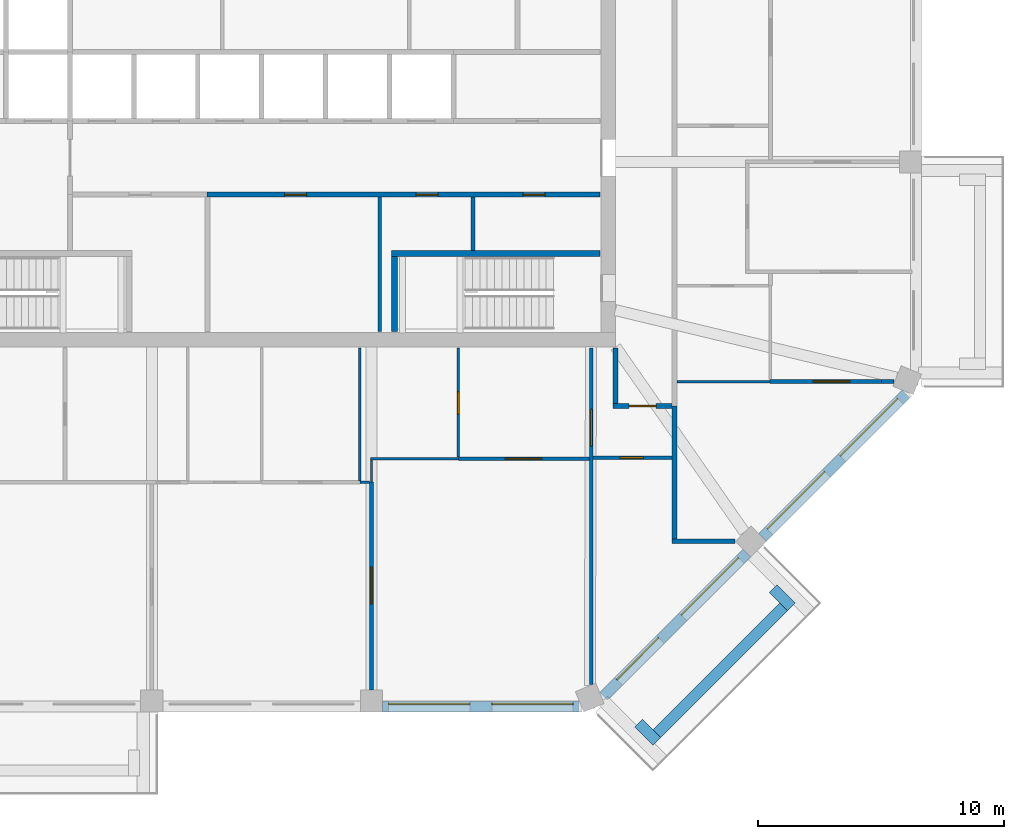
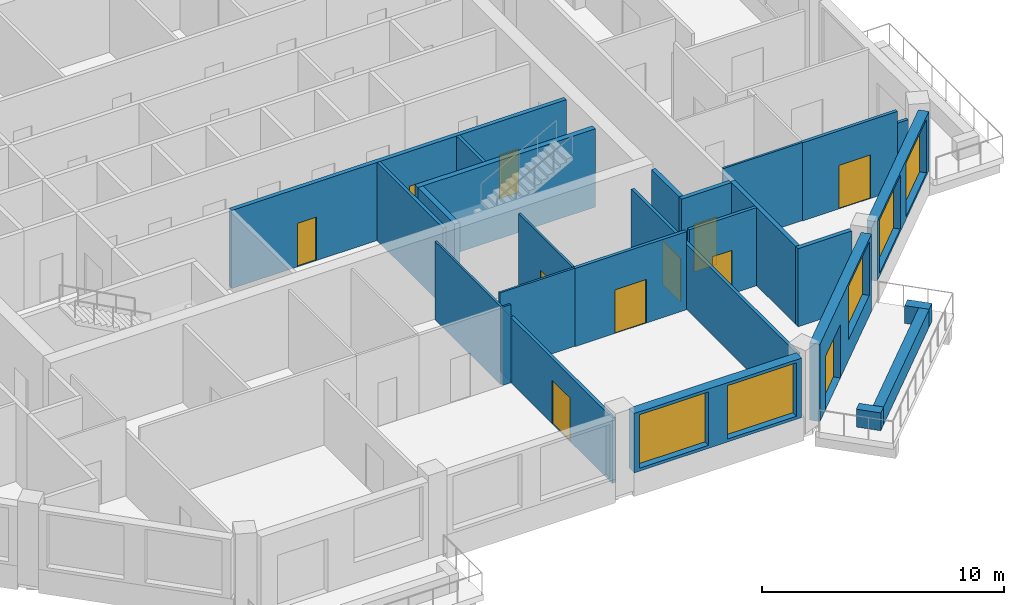
# One storey, part 5 of 11: 27 walls, 11 doors, 5 windows, 16 openings.
"""IFC4 building model written with IfcOpenShell, lengths in metres."""

from ifc_helpers import new_model, si_unit, direction, frame, frame_2d, origin, place, context, subcontext, project, spatial, rectangle, extrude, material, layer, layer_set, type_object, element, fill, save


model = new_model("IFC4")

# Units and contexts
model_context = context("Model", 3, precision=1e-05, world=origin(), true_north=direction((0.0, 1.0)))
body_context = subcontext(model_context, "Body", "Model", "MODEL_VIEW")
ifc_project = project(units=[si_unit("LENGTHUNIT", "METRE"), si_unit("AREAUNIT", "SQUARE_METRE"), si_unit("VOLUMEUNIT", "CUBIC_METRE"), si_unit("PLANEANGLEUNIT", "RADIAN"), si_unit("MASSUNIT", "GRAM", prefix="KILO")], contexts=[model_context])

# Site, building, storey
site_placement = place(None, origin())
site = spatial("IfcSite", under=ifc_project, at=site_placement, CompositionType="ELEMENT")
building_placement = place(site_placement, origin())
building = spatial("IfcBuilding", under=site, at=building_placement, Name="Msitu Wima Residences", CompositionType="ELEMENT")
storey_placement = place(building_placement, frame((0.0, 0.0, 302.10009765625)))
storey = spatial("IfcBuildingStorey", under=building, at=storey_placement, Name="L70", CompositionType="ELEMENT", Elevation=302.10009765625)

# Walls
ifc_material_1 = material(Name="Facing brick")
ifc_layer_1 = layer(ifc_material_1, 0.06494140625, Name="Facing brick")
ifc_material_2 = material(Name="Concrete C40/50", Category="concrete")
ifc_layer_2 = layer(ifc_material_2, 0.156005859375, Name="Concrete C40/50")
ifc_material_3 = material(Name="Waterproofing membrane")
ifc_layer_3 = layer(ifc_material_3, 0.00390625, Name="Waterproofing membrane")
ifc_material_4 = material(Name="Planting soil and planting")
ifc_layer_4 = layer(ifc_material_4, 0.22509765625, Name="Planting soil and planting")
ifc_layer_set_1 = layer_set([ifc_layer_1, ifc_layer_2, ifc_layer_3, ifc_layer_4], Name="Concrete C40/50")
wall_type_1 = type_object("IfcWallType", Name="Balcony planter PLANTER PL450", PredefinedType="USERDEFINED", material=ifc_layer_set_1)
wall_1_placement = place(storey_placement, frame((16.0751953125, -27.725830078125, 0.0), z_axis=(0.0, 0.0, 1.0), x_axis=(0.707106781187, 0.707106781187, 0.0)))
element("IfcWall", 1, at=wall_1_placement, inside=storey, type_object=wall_type_1, Name="Balcony planter SE0 L70", ObjectType="PLANTER", PredefinedType="USERDEFINED", context=body_context, shape_type="SweptSolid", body=[
    extrude(rectangle(XDim=7.288330078125, YDim=0.449951171875, at=frame_2d((3.64404296875, 0.0))), origin(), (0.0, 0.0, 1.0), 0.89990234375),
])
for number, where, z_axis, x_axis, name in (
    (2, (15.332763671875, -27.301513671875, 0.0), (0.0, 0.0, 1.0), (0.707106781187, -0.707106781187, 0.0), "Balcony planter SE0 L70"),
    (3, (20.804443359375, -21.829833984375, 0.0), (0.0, 0.0, 1.0), (0.707106781187, -0.707106781187, 0.0), "Balcony planter SE0 L70"),
):
    element("IfcWall", number, at=place(storey_placement, frame(where, z_axis=z_axis, x_axis=x_axis)), inside=storey, type_object=wall_type_1, Name=name, ObjectType="PLANTER", PredefinedType="USERDEFINED", context=body_context, shape_type="SweptSolid", body=[
        extrude(rectangle(XDim=1.050048828125, YDim=0.449951171875, at=frame_2d((0.52490234375, 0.0))), origin(), (0.0, 0.0, 1.0), 0.89990234375),
    ])

# Wall, openings, windows
ifc_material_5 = material(Name="Brick (red buff mix)", Category="masonry")
ifc_layer_5 = layer(ifc_material_5, 0.449951171875)
ifc_layer_set_2 = layer_set([ifc_layer_5], Name="Brick (red buff mix)")
wall_type_2 = type_object("IfcWallType", Name="Brick infill wall BW450", PredefinedType="SOLIDWALL", material=ifc_layer_set_2)
wall_2_placement = place(storey_placement, frame((4.918701171875, -26.625, 0.89990234375), z_axis=(0.0, 0.0, 1.0), x_axis=(1.0, 0.0, 0.0)))
wall_2 = element("IfcWall", 4, at=wall_2_placement, inside=storey, type_object=wall_type_2, Name="Brick infill wall L70 S2", PredefinedType="SOLIDWALL", context=body_context, shape_type="SweptSolid", body=[
    extrude(rectangle(XDim=8.0, YDim=0.449951171875, at=frame_2d((4.0, 0.0))), origin(), (0.0, 0.0, 1.0), 3.0),
])
opening_1_placement = place(wall_2_placement, frame((0.25, 0.0, 0.14990234375)))
opening_1 = element("IfcOpeningElement", 5, at=opening_1_placement, cuts=wall_2, Name="Opening W68-70.020", PredefinedType="OPENING", context=body_context, shape_type="SweptSolid", body=[
    extrude(rectangle(XDim=3.300048828125, YDim=2.699951171875, at=frame_2d((1.64990234375, 1.35009765625))), frame((0.0, 0.23486328125, 0.0), z_axis=(0.0, -1.0, 0.0), x_axis=(1.0, 0.0, 0.0)), (0.0, 0.0, 1.0), 0.469970703125),
])
opening_2_placement = place(wall_2_placement, frame((4.4501953125, 0.0, 0.14990234375)))
opening_2 = element("IfcOpeningElement", 6, at=opening_2_placement, cuts=wall_2, Name="Opening W68-70.021", PredefinedType="OPENING", context=body_context, shape_type="SweptSolid", body=[
    extrude(rectangle(XDim=3.300048828125, YDim=2.699951171875, at=frame_2d((1.64990234375, 1.35009765625))), frame((0.0, 0.23486328125, 0.0), z_axis=(0.0, -1.0, 0.0), x_axis=(1.0, 0.0, 0.0)), (0.0, 0.0, 1.0), 0.469970703125),
])
ifc_material_6 = material(Name="Anodised aluminium, bronze finish, clear low-emissivity double glazing", Category="aluminium")
window_type = type_object("IfcWindowType", Name="Window W3300x2700", PartitioningType="DOUBLE_PANEL_VERTICAL", PredefinedType="WINDOW", material=ifc_material_6)
window_1_placement = place(opening_1_placement, origin())
window_1 = element("IfcWindow", 7, at=window_1_placement, inside=storey, type_object=window_type, Name="Window L70 S2.1", OverallHeight=2.699951171875, OverallWidth=3.300048828125, PartitioningType="SINGLE_PANEL", PredefinedType="WINDOW", context=body_context, shape_type="SweptSolid", body=[
    extrude(rectangle(XDim=3.300048828125, YDim=2.699951171875, at=frame_2d((1.64990234375, 1.35009765625))), frame((0.0, 0.135009765625, 0.0), z_axis=(0.0, -1.0, 0.0), x_axis=(1.0, 0.0, 0.0)), (0.0, 0.0, 1.0), 0.06005859375),
])
fill(opening_1, window_1)
window_2_placement = place(opening_2_placement, origin())
window_2 = element("IfcWindow", 8, at=window_2_placement, inside=storey, type_object=window_type, Name="Window L70 S2.2", OverallHeight=2.699951171875, OverallWidth=3.300048828125, PartitioningType="SINGLE_PANEL", PredefinedType="WINDOW", context=body_context, shape_type="SweptSolid", body=[
    extrude(rectangle(XDim=3.300048828125, YDim=2.699951171875, at=frame_2d((1.64990234375, 1.35009765625))), frame((0.0, 0.135009765625, 0.0), z_axis=(0.0, -1.0, 0.0), x_axis=(1.0, 0.0, 0.0)), (0.0, 0.0, 1.0), 0.06005859375),
])
fill(opening_2, window_2)

# Wall, openings, door, window
wall_3_placement = place(storey_placement, frame((13.909423828125, -26.214599609375, 0.0), z_axis=(0.0, 0.0, 1.0), x_axis=(0.707106781187, 0.707106781187, 0.0)))
wall_3 = element("IfcWall", 9, at=wall_3_placement, inside=storey, type_object=wall_type_2, Name="Brick infill wall L70 SE0", PredefinedType="SOLIDWALL", context=body_context, shape_type="SweptSolid", body=[
    extrude(rectangle(XDim=8.251220703125, YDim=0.449951171875, at=frame_2d((4.12548828125, 0.0))), origin(), (0.0, 0.0, 1.0), 3.89990234375),
])
opening_3_placement = place(wall_3_placement, frame((0.86279296875, 0.0, 0.0)))
opening_3 = element("IfcOpeningElement", 10, at=opening_3_placement, cuts=wall_3, Name="Opening D68-70.006", PredefinedType="OPENING", context=body_context, shape_type="SweptSolid", body=[
    extrude(rectangle(XDim=2.39990234375, YDim=2.699951171875, at=frame_2d((1.199951171875, 1.35009765625))), frame((0.0, 0.23486328125, 0.0), z_axis=(0.0, -1.0, 0.0), x_axis=(1.0, 0.0, 0.0)), (0.0, 0.0, 1.0), 0.469970703125),
])
opening_4_placement = place(wall_3_placement, frame((4.57568359375, 0.0, 1.050048828125)))
opening_4 = element("IfcOpeningElement", 11, at=opening_4_placement, cuts=wall_3, Name="Opening W68-70.022", PredefinedType="OPENING", context=body_context, shape_type="SweptSolid", body=[
    extrude(rectangle(XDim=3.300048828125, YDim=2.699951171875, at=frame_2d((1.64990234375, 1.35009765625))), frame((0.0, 0.23486328125, 0.0), z_axis=(0.0, -1.0, 0.0), x_axis=(1.0, 0.0, 0.0)), (0.0, 0.0, 1.0), 0.469970703125),
])
door_type_1 = type_object("IfcDoorType", Name="Balcony door D2400x2700", OperationType="SLIDING_TO_LEFT", PredefinedType="DOOR", material=ifc_material_6)
door_1_placement = place(opening_3_placement, origin())
door_1 = element("IfcDoor", 12, at=door_1_placement, inside=storey, type_object=door_type_1, Name="Balcony door L70 SE0", OperationType="SINGLE_SWING_LEFT", OverallHeight=2.699951171875, OverallWidth=2.39990234375, PredefinedType="DOOR", context=body_context, shape_type="SweptSolid", body=[
    extrude(rectangle(XDim=2.39990234375, YDim=2.699951171875, at=frame_2d((1.199951171875, 1.35009765625))), frame((0.0, 0.1298828125, 0.0), z_axis=(0.0, -1.0, 0.0), x_axis=(1.0, 0.0, 0.0)), (0.0, 0.0, 1.0), 0.050048828125),
])
fill(opening_3, door_1)
window_3_placement = place(opening_4_placement, origin())
window_3 = element("IfcWindow", 13, at=window_3_placement, inside=storey, type_object=window_type, Name="Window L70 SE0.2", OverallHeight=2.699951171875, OverallWidth=3.300048828125, PartitioningType="SINGLE_PANEL", PredefinedType="WINDOW", context=body_context, shape_type="SweptSolid", body=[
    extrude(rectangle(XDim=3.300048828125, YDim=2.699951171875, at=frame_2d((1.64990234375, 1.35009765625))), frame((0.0, 0.135009765625, 0.0), z_axis=(0.0, -1.0, 0.0), x_axis=(1.0, 0.0, 0.0)), (0.0, 0.0, 1.0), 0.06005859375),
])
fill(opening_4, window_3)

# Wall, openings, windows
wall_4_placement = place(storey_placement, frame((20.380126953125, -19.743896484375, 0.89990234375), z_axis=(0.0, 0.0, 1.0), x_axis=(0.707106781187, 0.707106781187, 0.0)))
wall_4 = element("IfcWall", 14, at=wall_4_placement, inside=storey, type_object=wall_type_2, Name="Brick infill wall L70 SE1", PredefinedType="SOLIDWALL", context=body_context, shape_type="SweptSolid", body=[
    extrude(rectangle(XDim=8.251220703125, YDim=0.449951171875, at=frame_2d((4.12548828125, 0.0))), origin(), (0.0, 0.0, 1.0), 3.0),
])
opening_5_placement = place(wall_4_placement, frame((0.37548828125, 0.0, 0.14990234375)))
opening_5 = element("IfcOpeningElement", 15, at=opening_5_placement, cuts=wall_4, Name="Opening W68-70.023", PredefinedType="OPENING", context=body_context, shape_type="SweptSolid", body=[
    extrude(rectangle(XDim=3.300048828125, YDim=2.699951171875, at=frame_2d((1.64990234375, 1.35009765625))), frame((0.0, 0.23486328125, 0.0), z_axis=(0.0, -1.0, 0.0), x_axis=(1.0, 0.0, 0.0)), (0.0, 0.0, 1.0), 0.469970703125),
])
opening_6_placement = place(wall_4_placement, frame((4.57568359375, 0.0, 0.14990234375)))
opening_6 = element("IfcOpeningElement", 16, at=opening_6_placement, cuts=wall_4, Name="Opening W68-70.024", PredefinedType="OPENING", context=body_context, shape_type="SweptSolid", body=[
    extrude(rectangle(XDim=3.300048828125, YDim=2.699951171875, at=frame_2d((1.64990234375, 1.35009765625))), frame((0.0, 0.23486328125, 0.0), z_axis=(0.0, -1.0, 0.0), x_axis=(1.0, 0.0, 0.0)), (0.0, 0.0, 1.0), 0.469970703125),
])
window_4_placement = place(opening_5_placement, origin())
window_4 = element("IfcWindow", 17, at=window_4_placement, inside=storey, type_object=window_type, Name="Window L70 SE1.1", OverallHeight=2.699951171875, OverallWidth=3.300048828125, PartitioningType="SINGLE_PANEL", PredefinedType="WINDOW", context=body_context, shape_type="SweptSolid", body=[
    extrude(rectangle(XDim=3.300048828125, YDim=2.699951171875, at=frame_2d((1.64990234375, 1.35009765625))), frame((0.0, 0.135009765625, 0.0), z_axis=(0.0, -1.0, 0.0), x_axis=(1.0, 0.0, 0.0)), (0.0, 0.0, 1.0), 0.06005859375),
])
fill(opening_5, window_4)
window_5_placement = place(opening_6_placement, origin())
window_5 = element("IfcWindow", 18, at=window_5_placement, inside=storey, type_object=window_type, Name="Window L70 SE1.2", OverallHeight=2.699951171875, OverallWidth=3.300048828125, PartitioningType="SINGLE_PANEL", PredefinedType="WINDOW", context=body_context, shape_type="SweptSolid", body=[
    extrude(rectangle(XDim=3.300048828125, YDim=2.699951171875, at=frame_2d((1.64990234375, 1.35009765625))), frame((0.0, 0.135009765625, 0.0), z_axis=(0.0, -1.0, 0.0), x_axis=(1.0, 0.0, 0.0)), (0.0, 0.0, 1.0), 0.06005859375),
])
fill(opening_6, window_5)

# Wall, openings, doors
ifc_material_7 = material(Name="Plaster")
ifc_layer_6 = layer(ifc_material_7, 0.011962890625, Name="Plaster")
ifc_material_8 = material(Name="Concrete blockwork", Category="masonry")
ifc_layer_7 = layer(ifc_material_8, 0.176025390625, Name="Concrete blockwork")
ifc_layer_8 = layer(ifc_material_7, 0.011962890625, Name="Plaster")
ifc_layer_set_3 = layer_set([ifc_layer_6, ifc_layer_7, ifc_layer_8], Name="Concrete blockwork")
wall_type_3 = type_object("IfcWallType", Name="Corridor wall FW200", PredefinedType="PARTITIONING", material=ifc_layer_set_3)
wall_5_placement = place(storey_placement, frame((-2.219970703125, -5.800048828125, 0.0), z_axis=(0.0, 0.0, 1.0), x_axis=(1.0, 0.0, 0.0)))
wall_5 = element("IfcWall", 19, at=wall_5_placement, inside=storey, type_object=wall_type_3, Name="Corridor wall", PredefinedType="PARTITIONING", context=body_context, shape_type="SweptSolid", body=[
    extrude(rectangle(XDim=15.989990234375, YDim=0.199951171875, at=frame_2d((7.9951171875, 0.0))), origin(), (0.0, 0.0, 1.0), 3.949951171875),
])
opening_7_placement = place(wall_5_placement, frame((3.14990234375, 0.0, 0.0)))
opening_7 = element("IfcOpeningElement", 20, at=opening_7_placement, cuts=wall_5, Name="Opening D68-70.068", PredefinedType="OPENING", context=body_context, shape_type="SweptSolid", body=[
    extrude(rectangle(XDim=0.89990234375, YDim=2.199951171875, at=frame_2d((0.449951171875, 1.10009765625))), frame((0.0, 0.10986328125, 0.0), z_axis=(0.0, -1.0, 0.0), x_axis=(1.0, 0.0, 0.0)), (0.0, 0.0, 1.0), 0.219970703125),
])
opening_8_placement = place(wall_5_placement, frame((8.5, 0.0, 0.0)))
opening_8 = element("IfcOpeningElement", 21, at=opening_8_placement, cuts=wall_5, Name="Opening D68-70.069", PredefinedType="OPENING", context=body_context, shape_type="SweptSolid", body=[
    extrude(rectangle(XDim=0.89990234375, YDim=2.199951171875, at=frame_2d((0.449951171875, 1.10009765625))), frame((0.0, 0.10986328125, 0.0), z_axis=(0.0, -1.0, 0.0), x_axis=(1.0, 0.0, 0.0)), (0.0, 0.0, 1.0), 0.219970703125),
])
opening_9_placement = place(wall_5_placement, frame((12.85009765625, 0.0, 0.0)))
opening_9 = element("IfcOpeningElement", 22, at=opening_9_placement, cuts=wall_5, Name="Opening D68-70.070", PredefinedType="OPENING", context=body_context, shape_type="SweptSolid", body=[
    extrude(rectangle(XDim=0.89990234375, YDim=2.199951171875, at=frame_2d((0.449951171875, 1.10009765625))), frame((0.0, 0.10986328125, 0.0), z_axis=(0.0, -1.0, 0.0), x_axis=(1.0, 0.0, 0.0)), (0.0, 0.0, 1.0), 0.219970703125),
])
ifc_material_9 = material(Name="Timber flush door", Category="wood")
door_type_2 = type_object("IfcDoorType", Name="Service door D05 900x2200", OperationType="SINGLE_SWING_LEFT", PredefinedType="DOOR", material=ifc_material_9)
door_2_placement = place(opening_7_placement, origin())
door_2 = element("IfcDoor", 23, at=door_2_placement, inside=storey, type_object=door_type_2, Name="Service door", OperationType="SINGLE_SWING_LEFT", OverallHeight=2.199951171875, OverallWidth=0.89990234375, PredefinedType="DOOR", context=body_context, shape_type="SweptSolid", body=[
    extrude(rectangle(XDim=0.89990234375, YDim=2.199951171875, at=frame_2d((0.449951171875, 1.10009765625))), frame((0.0, 0.02490234375, 0.0), z_axis=(0.0, -1.0, 0.0), x_axis=(1.0, 0.0, 0.0)), (0.0, 0.0, 1.0), 0.050048828125),
])
fill(opening_7, door_2)
door_3_placement = place(opening_8_placement, origin())
door_3 = element("IfcDoor", 24, at=door_3_placement, inside=storey, type_object=door_type_2, Name="Service door", OperationType="SINGLE_SWING_LEFT", OverallHeight=2.199951171875, OverallWidth=0.89990234375, PredefinedType="DOOR", context=body_context, shape_type="SweptSolid", body=[
    extrude(rectangle(XDim=0.89990234375, YDim=2.199951171875, at=frame_2d((0.449951171875, 1.10009765625))), frame((0.0, 0.02490234375, 0.0), z_axis=(0.0, -1.0, 0.0), x_axis=(1.0, 0.0, 0.0)), (0.0, 0.0, 1.0), 0.050048828125),
])
fill(opening_8, door_3)
door_4_placement = place(opening_9_placement, origin())
door_4 = element("IfcDoor", 25, at=door_4_placement, inside=storey, type_object=door_type_2, Name="Service door", OperationType="SINGLE_SWING_RIGHT", OverallHeight=2.199951171875, OverallWidth=0.89990234375, PredefinedType="DOOR", context=body_context, shape_type="SweptSolid", body=[
    extrude(rectangle(XDim=0.89990234375, YDim=2.199951171875, at=frame_2d((0.449951171875, 1.10009765625))), frame((0.0, 0.02490234375, 0.0), z_axis=(0.0, -1.0, 0.0), x_axis=(1.0, 0.0, 0.0)), (0.0, 0.0, 1.0), 0.050048828125),
])
fill(opening_9, door_4)

# Wall
wall_6_placement = place(storey_placement, frame((14.39990234375, -14.300048828125, 0.0), z_axis=(0.0, 0.0, 1.0), x_axis=(0.0, 1.0, 0.0)))
element("IfcWall", 26, at=wall_6_placement, inside=storey, type_object=wall_type_3, Name="Corridor wall", PredefinedType="PARTITIONING", context=body_context, shape_type="SweptSolid", body=[
    extrude(rectangle(XDim=2.27001953125, YDim=0.199951171875, at=frame_2d((1.135009765625, 0.0))), origin(), (0.0, 0.0, 1.0), 3.949951171875),
])

# Wall, opening, door
wall_7_placement = place(storey_placement, frame((14.300048828125, -14.39990234375, 0.0), z_axis=(0.0, 0.0, 1.0), x_axis=(1.0, 0.0, 0.0)))
wall_7 = element("IfcWall", 27, at=wall_7_placement, inside=storey, type_object=wall_type_3, Name="Corridor wall", PredefinedType="PARTITIONING", context=body_context, shape_type="SweptSolid", body=[
    extrude(rectangle(XDim=2.39990234375, YDim=0.199951171875, at=frame_2d((1.199951171875, 0.0))), origin(), (0.0, 0.0, 1.0), 3.949951171875),
])
opening_10_placement = place(wall_7_placement, frame((0.64990234375, 0.0, 0.0)))
opening_10 = element("IfcOpeningElement", 28, at=opening_10_placement, cuts=wall_7, Name="Opening D68-70.044", PredefinedType="OPENING", context=body_context, shape_type="SweptSolid", body=[
    extrude(rectangle(XDim=1.10009765625, YDim=2.39990234375, at=frame_2d((0.550048828125, 1.199951171875))), frame((0.0, 0.10986328125, 0.0), z_axis=(0.0, -1.0, 0.0), x_axis=(1.0, 0.0, 0.0)), (0.0, 0.0, 1.0), 0.219970703125),
])
ifc_material_10 = material(Name="Timber flush door, fire resisting, self-closing", Category="wood")
door_type_3 = type_object("IfcDoorType", Name="Flat entrance door D01 1100x2400", OperationType="SINGLE_SWING_LEFT", PredefinedType="DOOR", material=ifc_material_10)
door_5_placement = place(opening_10_placement, origin())
door_5 = element("IfcDoor", 29, at=door_5_placement, inside=storey, type_object=door_type_3, Name="Flat entrance door", OperationType="SINGLE_SWING_LEFT", OverallHeight=2.39990234375, OverallWidth=1.10009765625, PredefinedType="DOOR", context=body_context, shape_type="SweptSolid", body=[
    extrude(rectangle(XDim=1.10009765625, YDim=2.39990234375, at=frame_2d((0.550048828125, 1.199951171875))), frame((0.0, 0.02490234375, 0.0), z_axis=(0.0, -1.0, 0.0), x_axis=(1.0, 0.0, 0.0)), (0.0, 0.0, 1.0), 0.050048828125),
])
fill(opening_10, door_5)

ifc_layer_9 = layer(ifc_material_7, 0.011962890625, Name="Plaster")
ifc_layer_10 = layer(ifc_material_8, 0.1259765625, Name="Concrete blockwork")
ifc_layer_11 = layer(ifc_material_7, 0.011962890625, Name="Plaster")
ifc_layer_set_4 = layer_set([ifc_layer_9, ifc_layer_10, ifc_layer_11], Name="Concrete blockwork")
wall_type_4 = type_object("IfcWallType", Name="Partition PW150", PredefinedType="PARTITIONING", material=ifc_layer_set_4)
wall_8_placement = place(storey_placement, frame((4.46875, -25.949951171875, 0.0), z_axis=(0.0, 0.0, 1.0), x_axis=(0.0, 1.0, 0.0)))
wall_8 = element("IfcWall", 30, at=wall_8_placement, inside=storey, type_object=wall_type_4, Name="Partition", PredefinedType="PARTITIONING", context=body_context, shape_type="SweptSolid", body=[
    extrude(rectangle(XDim=8.449951171875, YDim=0.14990234375, at=frame_2d((4.22509765625, 0.0))), origin(), (0.0, 0.0, 1.0), 3.2998046875),
])
opening_11_placement = place(wall_8_placement, frame((3.5, 0.0, 0.0)))
opening_11 = element("IfcOpeningElement", 31, at=opening_11_placement, cuts=wall_8, Name="Opening D68-70.052", PredefinedType="OPENING", context=body_context, shape_type="SweptSolid", body=[
    extrude(rectangle(XDim=1.5, YDim=2.199951171875, at=frame_2d((0.75, 1.10009765625))), frame((0.0, 0.0849609375, 0.0), z_axis=(0.0, -1.0, 0.0), x_axis=(1.0, 0.0, 0.0)), (0.0, 0.0, 1.0), 0.169921875),
])
ifc_material_11 = material(Name="Timber double door", Category="wood")
door_type_4 = type_object("IfcDoorType", Name="Double door D04 1500x2200", OperationType="DOUBLE_DOOR_SINGLE_SWING", PredefinedType="DOOR", material=ifc_material_11)
door_6_placement = place(opening_11_placement, origin())
door_6 = element("IfcDoor", 32, at=door_6_placement, inside=storey, type_object=door_type_4, Name="Double door", OperationType="DOUBLE_DOOR_SINGLE_SWING", OverallHeight=2.199951171875, OverallWidth=1.5, PredefinedType="DOOR", context=body_context, shape_type="SweptSolid", body=[
    extrude(rectangle(XDim=1.5, YDim=2.199951171875, at=frame_2d((0.75, 1.10009765625))), frame((0.0, 0.02490234375, 0.0), z_axis=(0.0, -1.0, 0.0), x_axis=(1.0, 0.0, 0.0)), (0.0, 0.0, 1.0), 0.050048828125),
])
fill(opening_11, door_6)

# Wall
wall_9_placement = place(storey_placement, frame((4.800048828125, -11.3701171875, 0.0), z_axis=(0.0, 0.0, 1.0), x_axis=(0.0, 1.0, 0.0)))
element("IfcWall", 33, at=wall_9_placement, inside=storey, type_object=wall_type_4, Name="Partition", PredefinedType="PARTITIONING", context=body_context, shape_type="SweptSolid", body=[
    extrude(rectangle(XDim=5.47021484375, YDim=0.14990234375, at=frame_2d((2.735107421875, 0.0))), origin(), (0.0, 0.0, 1.0), 3.949951171875),
])

# Wall, opening, door
wall_10_placement = place(storey_placement, frame((8.0, -16.550048828125, 0.0), z_axis=(0.0, 0.0, 1.0), x_axis=(1.0, 0.0, 0.0)))
wall_10 = element("IfcWall", 34, at=wall_10_placement, inside=storey, type_object=wall_type_4, Name="Partition", PredefinedType="PARTITIONING", context=body_context, shape_type="SweptSolid", body=[
    extrude(rectangle(XDim=5.330810546875, YDim=0.14990234375, at=frame_2d((2.66552734375, 0.0))), origin(), (0.0, 0.0, 1.0), 3.949951171875),
])
opening_12_placement = place(wall_10_placement, frame((1.89990234375, 0.0, 0.0)))
opening_12 = element("IfcOpeningElement", 35, at=opening_12_placement, cuts=wall_10, Name="Opening D68-70.049", PredefinedType="OPENING", context=body_context, shape_type="SweptSolid", body=[
    extrude(rectangle(XDim=1.5, YDim=2.199951171875, at=frame_2d((0.75, 1.10009765625))), frame((0.0, 0.0849609375, 0.0), z_axis=(0.0, -1.0, 0.0), x_axis=(1.0, 0.0, 0.0)), (0.0, 0.0, 1.0), 0.169921875),
])
door_7_placement = place(opening_12_placement, origin())
door_7 = element("IfcDoor", 36, at=door_7_placement, inside=storey, type_object=door_type_4, Name="Double door", OperationType="DOUBLE_DOOR_SINGLE_SWING", OverallHeight=2.199951171875, OverallWidth=1.5, PredefinedType="DOOR", context=body_context, shape_type="SweptSolid", body=[
    extrude(rectangle(XDim=1.5, YDim=2.199951171875, at=frame_2d((0.75, 1.10009765625))), frame((0.0, 0.02490234375, 0.0), z_axis=(0.0, -1.0, 0.0), x_axis=(1.0, 0.0, 0.0)), (0.0, 0.0, 1.0), 0.050048828125),
])
fill(opening_12, door_7)

# Wall
wall_11_placement = place(storey_placement, frame((8.60009765625, -8.074951171875, 0.0), z_axis=(0.0, 0.0, 1.0), x_axis=(0.0, 1.0, 0.0)))
element("IfcWall", 37, at=wall_11_placement, inside=storey, type_object=wall_type_4, Name="Partition", PredefinedType="PARTITIONING", context=body_context, shape_type="SweptSolid", body=[
    extrude(rectangle(XDim=2.175048828125, YDim=0.14990234375, at=frame_2d((1.08740234375, 0.0))), origin(), (0.0, 0.0, 1.0), 3.949951171875),
])

# Wall, opening, door
wall_12_placement = place(storey_placement, frame((13.406005859375, -25.731201171875, 0.0), z_axis=(0.0, 0.0, 1.0), x_axis=(0.0, 1.0, 0.0)))
wall_12 = element("IfcWall", 38, at=wall_12_placement, inside=storey, type_object=wall_type_4, Name="Partition", PredefinedType="PARTITIONING", context=body_context, shape_type="SweptSolid", body=[
    extrude(rectangle(XDim=13.701171875, YDim=0.14990234375, at=frame_2d((6.8505859375, 0.0))), origin(), (0.0, 0.0, 1.0), 3.2998046875),
])
opening_13_placement = place(wall_12_placement, frame((9.699951171875, 0.0, 0.0)))
opening_13 = element("IfcOpeningElement", 39, at=opening_13_placement, cuts=wall_12, Name="Opening D68-70.045", PredefinedType="OPENING", context=body_context, shape_type="SweptSolid", body=[
    extrude(rectangle(XDim=1.5, YDim=2.199951171875, at=frame_2d((0.75, 1.10009765625))), frame((0.0, 0.0849609375, 0.0), z_axis=(0.0, -1.0, 0.0), x_axis=(1.0, 0.0, 0.0)), (0.0, 0.0, 1.0), 0.169921875),
])
door_8_placement = place(opening_13_placement, origin())
door_8 = element("IfcDoor", 40, at=door_8_placement, inside=storey, type_object=door_type_4, Name="Double door", OperationType="DOUBLE_DOOR_SINGLE_SWING", OverallHeight=2.199951171875, OverallWidth=1.5, PredefinedType="DOOR", context=body_context, shape_type="SweptSolid", body=[
    extrude(rectangle(XDim=1.5, YDim=2.199951171875, at=frame_2d((0.75, 1.10009765625))), frame((0.0, 0.02490234375, 0.0), z_axis=(0.0, -1.0, 0.0), x_axis=(1.0, 0.0, 0.0)), (0.0, 0.0, 1.0), 0.050048828125),
])
fill(opening_13, door_8)

wall_13_placement = place(storey_placement, frame((13.48095703125, -16.5, 0.0), z_axis=(0.0, 0.0, 1.0), x_axis=(1.0, 0.0, 0.0)))
wall_13 = element("IfcWall", 41, at=wall_13_placement, inside=storey, type_object=wall_type_4, Name="Partition", PredefinedType="PARTITIONING", context=body_context, shape_type="SweptSolid", body=[
    extrude(rectangle(XDim=3.218994140625, YDim=0.14990234375, at=frame_2d((1.609375, 0.0))), origin(), (0.0, 0.0, 1.0), 3.949951171875),
])
opening_14_placement = place(wall_13_placement, frame((1.10009765625, 0.0, 0.0)))
opening_14 = element("IfcOpeningElement", 42, at=opening_14_placement, cuts=wall_13, Name="Opening D68-70.050", PredefinedType="OPENING", context=body_context, shape_type="SweptSolid", body=[
    extrude(rectangle(XDim=0.949951171875, YDim=2.199951171875, at=frame_2d((0.47509765625, 1.10009765625))), frame((0.0, 0.0849609375, 0.0), z_axis=(0.0, -1.0, 0.0), x_axis=(1.0, 0.0, 0.0)), (0.0, 0.0, 1.0), 0.169921875),
])
door_type_5 = type_object("IfcDoorType", Name="Room door D12 950x2200", OperationType="SINGLE_SWING_LEFT", PredefinedType="DOOR", material=ifc_material_9)
door_9_placement = place(opening_14_placement, origin())
door_9 = element("IfcDoor", 43, at=door_9_placement, inside=storey, type_object=door_type_5, Name="Room door", OperationType="SINGLE_SWING_RIGHT", OverallHeight=2.199951171875, OverallWidth=0.949951171875, PredefinedType="DOOR", context=body_context, shape_type="SweptSolid", body=[
    extrude(rectangle(XDim=0.949951171875, YDim=2.199951171875, at=frame_2d((0.47509765625, 1.10009765625))), frame((0.0, 0.02490234375, 0.0), z_axis=(0.0, -1.0, 0.0), x_axis=(1.0, 0.0, 0.0)), (0.0, 0.0, 1.0), 0.050048828125),
])
fill(opening_14, door_9)

wall_14_placement = place(storey_placement, frame((20.679931640625, -13.406005859375, 0.0), z_axis=(0.0, 0.0, 1.0), x_axis=(1.0, 0.0, 0.0)))
wall_14 = element("IfcWall", 44, at=wall_14_placement, inside=storey, type_object=wall_type_4, Name="Partition", PredefinedType="PARTITIONING", context=body_context, shape_type="SweptSolid", body=[
    extrude(rectangle(XDim=4.544189453125, YDim=0.14990234375, at=frame_2d((2.27197265625, 0.0))), origin(), (0.0, 0.0, 1.0), 3.949951171875),
])
opening_15_placement = place(wall_14_placement, frame((1.75, 0.0, 0.0)))
opening_15 = element("IfcOpeningElement", 45, at=opening_15_placement, cuts=wall_14, Name="Opening D68-70.011", PredefinedType="OPENING", context=body_context, shape_type="SweptSolid", body=[
    extrude(rectangle(XDim=1.5, YDim=2.199951171875, at=frame_2d((0.75, 1.10009765625))), frame((0.0, 0.0849609375, 0.0), z_axis=(0.0, -1.0, 0.0), x_axis=(1.0, 0.0, 0.0)), (0.0, 0.0, 1.0), 0.169921875),
])
door_10_placement = place(opening_15_placement, origin())
door_10 = element("IfcDoor", 46, at=door_10_placement, inside=storey, type_object=door_type_4, Name="Double door", OperationType="DOUBLE_DOOR_SINGLE_SWING", OverallHeight=2.199951171875, OverallWidth=1.5, PredefinedType="DOOR", context=body_context, shape_type="SweptSolid", body=[
    extrude(rectangle(XDim=1.5, YDim=2.199951171875, at=frame_2d((0.75, 1.10009765625))), frame((0.0, 0.02490234375, 0.0), z_axis=(0.0, -1.0, 0.0), x_axis=(1.0, 0.0, 0.0)), (0.0, 0.0, 1.0), 0.050048828125),
])
fill(opening_15, door_10)

# Walls
wall_15_placement = place(storey_placement, frame((25.22412109375, -13.406005859375, 0.0), z_axis=(0.0, 0.0, 1.0), x_axis=(1.0, 0.0, 0.0)))
element("IfcWall", 47, at=wall_15_placement, inside=storey, type_object=wall_type_4, Name="Partition", PredefinedType="PARTITIONING", context=body_context, shape_type="SweptSolid", body=[
    extrude(rectangle(XDim=0.507080078125, YDim=0.14990234375, at=frame_2d((0.25341796875, 0.0))), origin(), (0.0, 0.0, 1.0), 3.349853515625),
])
ifc_layer_12 = layer(ifc_material_7, 0.011962890625, Name="Plaster")
ifc_material_12 = material(Name="Dense concrete blockwork", Category="masonry")
ifc_layer_13 = layer(ifc_material_12, 0.176025390625, Name="Dense concrete blockwork")
ifc_layer_14 = layer(ifc_material_7, 0.011962890625, Name="Plaster")
ifc_layer_set_5 = layer_set([ifc_layer_12, ifc_layer_13, ifc_layer_14], Name="Dense concrete blockwork")
wall_type_5 = type_object("IfcWallType", Name="Party wall PW200", PredefinedType="PARTITIONING", material=ifc_layer_set_5)
wall_16_placement = place(storey_placement, frame((16.800048828125, -19.802978515625, 0.0), z_axis=(0.0, 0.0, 1.0), x_axis=(0.0, 1.0, 0.0)))
element("IfcWall", 48, at=wall_16_placement, inside=storey, type_object=wall_type_5, Name="Party wall", PredefinedType="PARTITIONING", context=body_context, shape_type="SweptSolid", body=[
    extrude(rectangle(XDim=5.403076171875, YDim=0.199951171875, at=frame_2d((2.70166015625, 0.0))), origin(), (0.0, 0.0, 1.0), 3.949951171875),
])
wall_17_placement = place(storey_placement, frame((16.699951171875, -19.90283203125, 0.0), z_axis=(0.0, 0.0, 1.0), x_axis=(1.0, 0.0, 0.0)))
element("IfcWall", 49, at=wall_17_placement, inside=storey, type_object=wall_type_5, Name="Party wall", PredefinedType="PARTITIONING", context=body_context, shape_type="SweptSolid", body=[
    extrude(rectangle(XDim=2.566650390625, YDim=0.199951171875, at=frame_2d((1.283203125, 0.0))), origin(), (0.0, 0.0, 1.0), 3.949951171875),
])
ifc_material_13 = material(Name="Concrete C50/60", Category="concrete")
ifc_layer_15 = layer(ifc_material_13, 0.25)
ifc_layer_set_6 = layer_set([ifc_layer_15], Name="Concrete C50/60")
wall_type_6 = type_object("IfcWallType", Name="Stair enclosure wall SW250", PredefinedType="SHEAR", material=ifc_layer_set_6)
wall_18_placement = place(storey_placement, frame((5.39990234375, -11.3701171875, 0.0), z_axis=(0.0, 0.0, 1.0), x_axis=(0.0, 1.0, 0.0)))
element("IfcWall", 50, at=wall_18_placement, inside=storey, type_object=wall_type_6, Name="Stair enclosure wall", PredefinedType="SHEAR", context=body_context, shape_type="SweptSolid", body=[
    extrude(rectangle(XDim=3.045166015625, YDim=0.25, at=frame_2d((1.5224609375, 0.0))), origin(), (0.0, 0.0, 1.0), 3.949951171875),
])
wall_19_placement = place(storey_placement, frame((5.27490234375, -8.199951171875, 0.0), z_axis=(0.0, 0.0, 1.0), x_axis=(1.0, 0.0, 0.0)))
element("IfcWall", 51, at=wall_19_placement, inside=storey, type_object=wall_type_6, Name="Stair enclosure wall", PredefinedType="SHEAR", context=body_context, shape_type="SweptSolid", body=[
    extrude(rectangle(XDim=8.4951171875, YDim=0.25, at=frame_2d((4.24755859375, 0.0))), origin(), (0.0, 0.0, 1.0), 3.949951171875),
])
ifc_material_14 = material(Name="Ceramic tiles")
ifc_layer_16 = layer(ifc_material_14, 0.008056640625, Name="Ceramic tiles")
ifc_material_15 = material(Name="Moisture-resistant board")
ifc_layer_17 = layer(ifc_material_15, 0.012451171875, Name="Moisture-resistant board")
ifc_material_16 = material(Name="Light-gauge stud framing with mineral wool")
ifc_layer_18 = layer(ifc_material_16, 0.06689453125, Name="Light-gauge stud framing with mineral wool")
ifc_layer_19 = layer(ifc_material_15, 0.012451171875, Name="Moisture-resistant board")
ifc_layer_set_7 = layer_set([ifc_layer_16, ifc_layer_17, ifc_layer_18, ifc_layer_19], Name="Light-gauge stud framing with mineral wool")
wall_type_7 = type_object("IfcWallType", Name="Wet wall PW100", PredefinedType="PARTITIONING", material=ifc_layer_set_7)
wall_20_placement = place(storey_placement, frame((4.0, -17.5, 0.0), z_axis=(0.0, 0.0, 1.0), x_axis=(1.0, 0.0, 0.0)))
element("IfcWall", 52, at=wall_20_placement, inside=storey, type_object=wall_type_7, Name="Wet wall", PredefinedType="PARTITIONING", context=body_context, shape_type="SweptSolid", body=[
    extrude(rectangle(XDim=0.3935546875, YDim=0.10009765625, at=frame_2d((0.19677734375, 0.0))), origin(), (0.0, 0.0, 1.0), 3.949951171875),
])
wall_21_placement = place(storey_placement, frame((4.0, -17.449951171875, 0.0), z_axis=(0.0, 0.0, 1.0), x_axis=(0.0, 1.0, 0.0)))
element("IfcWall", 53, at=wall_21_placement, inside=storey, type_object=wall_type_7, Name="Wet wall", PredefinedType="PARTITIONING", context=body_context, shape_type="SweptSolid", body=[
    extrude(rectangle(XDim=5.419921875, YDim=0.10009765625, at=frame_2d((2.7099609375, 0.0))), origin(), (0.0, 0.0, 1.0), 3.949951171875),
])
wall_22_placement = place(storey_placement, frame((4.46875, -17.5, 0.0), z_axis=(0.0, 0.0, 1.0), x_axis=(0.0, 1.0, 0.0)))
element("IfcWall", 54, at=wall_22_placement, inside=storey, type_object=wall_type_7, Name="Wet wall", PredefinedType="PARTITIONING", context=body_context, shape_type="SweptSolid", body=[
    extrude(rectangle(XDim=0.89990234375, YDim=0.10009765625, at=frame_2d((0.449951171875, 0.0))), origin(), (0.0, 0.0, 1.0), 3.2998046875),
])
wall_23_placement = place(storey_placement, frame((4.418701171875, -16.550048828125, 0.0), z_axis=(0.0, 0.0, 1.0), x_axis=(1.0, 0.0, 0.0)))
element("IfcWall", 55, at=wall_23_placement, inside=storey, type_object=wall_type_7, Name="Wet wall", PredefinedType="PARTITIONING", context=body_context, shape_type="SweptSolid", body=[
    extrude(rectangle(XDim=3.581298828125, YDim=0.10009765625, at=frame_2d((1.79052734375, 0.0))), origin(), (0.0, 0.0, 1.0), 3.949951171875),
])

# Wall, opening, door
wall_24_placement = place(storey_placement, frame((8.0, -16.47509765625, 0.0), z_axis=(0.0, 0.0, 1.0), x_axis=(0.0, 1.0, 0.0)))
wall_24 = element("IfcWall", 56, at=wall_24_placement, inside=storey, type_object=wall_type_7, Name="Wet wall", PredefinedType="PARTITIONING", context=body_context, shape_type="SweptSolid", body=[
    extrude(rectangle(XDim=4.445068359375, YDim=0.10009765625, at=frame_2d((2.22265625, 0.0))), origin(), (0.0, 0.0, 1.0), 3.949951171875),
])
opening_16_placement = place(wall_24_placement, frame((1.75, 0.0, 0.0)))
opening_16 = element("IfcOpeningElement", 57, at=opening_16_placement, cuts=wall_24, Name="Opening D68-70.051", PredefinedType="OPENING", context=body_context, shape_type="SweptSolid", body=[
    extrude(rectangle(XDim=0.89990234375, YDim=2.199951171875, at=frame_2d((0.449951171875, 1.10009765625))), frame((0.0, 0.06005859375, 0.0), z_axis=(0.0, -1.0, 0.0), x_axis=(1.0, 0.0, 0.0)), (0.0, 0.0, 1.0), 0.1201171875),
])
ifc_material_17 = material(Name="Timber flush door, moisture resistant", Category="wood")
door_type_6 = type_object("IfcDoorType", Name="Bathroom door D03 900x2200", OperationType="SINGLE_SWING_LEFT", PredefinedType="DOOR", material=ifc_material_17)
door_11_placement = place(opening_16_placement, origin())
door_11 = element("IfcDoor", 58, at=door_11_placement, inside=storey, type_object=door_type_6, Name="Bathroom door", OperationType="SINGLE_SWING_LEFT", OverallHeight=2.199951171875, OverallWidth=0.89990234375, PredefinedType="DOOR", context=body_context, shape_type="SweptSolid", body=[
    extrude(rectangle(XDim=0.89990234375, YDim=2.199951171875, at=frame_2d((0.449951171875, 1.10009765625))), frame((0.0, 0.02490234375, 0.0), z_axis=(0.0, -1.0, 0.0), x_axis=(1.0, 0.0, 0.0)), (0.0, 0.0, 1.0), 0.050048828125),
])
fill(opening_16, door_11)

# Wall
wall_25_placement = place(storey_placement, frame((16.89990234375, -13.406005859375, 0.0), z_axis=(0.0, 0.0, 1.0), x_axis=(1.0, 0.0, 0.0)))
element("IfcWall", 59, at=wall_25_placement, inside=storey, type_object=wall_type_7, Name="Wet wall", PredefinedType="PARTITIONING", context=body_context, shape_type="SweptSolid", body=[
    extrude(rectangle(XDim=3.780029296875, YDim=0.10009765625, at=frame_2d((1.89013671875, 0.0))), origin(), (0.0, 0.0, 1.0), 3.949951171875),
])

save(model, "model.ifc")
